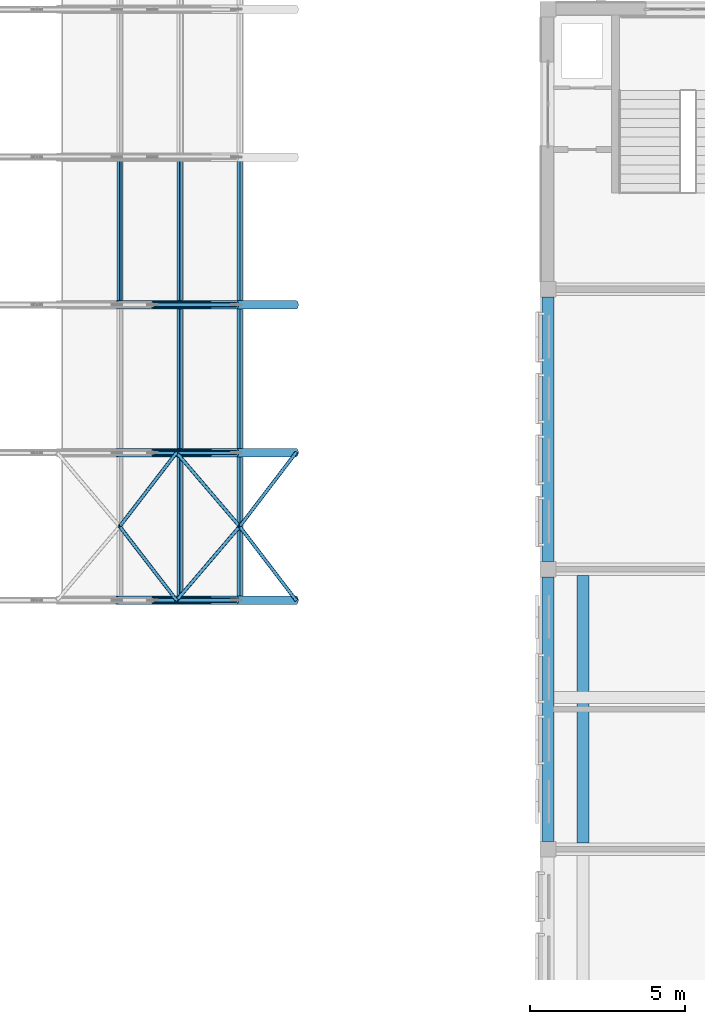
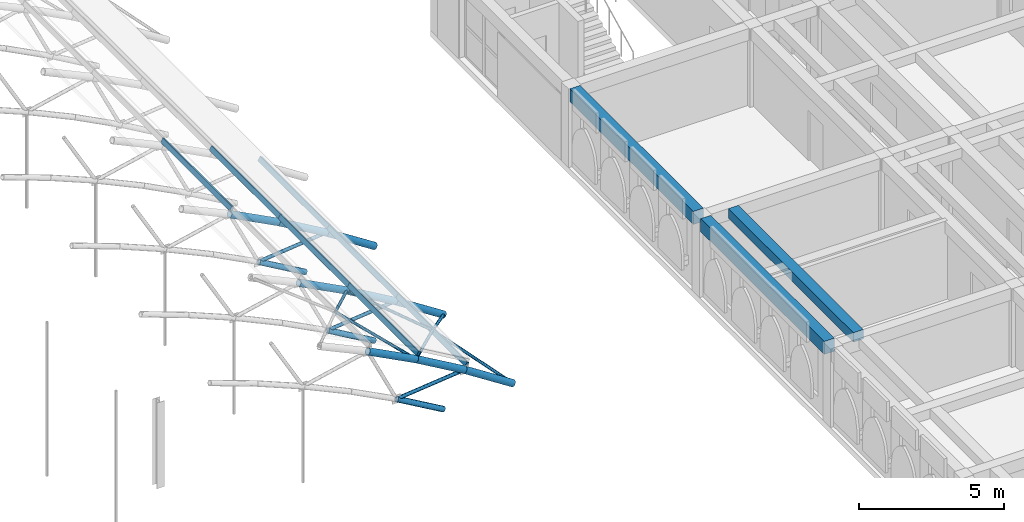
# One storey, part 16 of 50: 28 members, 3 beams.
"""IFC4 building model written with IfcOpenShell, lengths in metres."""

from ifc_helpers import new_model, si_unit, direction, frame, origin, origin_2d, place, context, subcontext, project, spatial, rectangle, hollow_rectangle, hollow_circle, extrude, material, material_profile, profile_set, type_object, element, save


model = new_model("IFC4")

# Units and contexts
model_context = context("Model", 3, precision=1e-05, world=origin(), true_north=direction((0.0, 1.0)))
body_context = subcontext(model_context, "Body", "Model", "MODEL_VIEW")
ifc_project = project(units=[si_unit("LENGTHUNIT", "METRE"), si_unit("AREAUNIT", "SQUARE_METRE"), si_unit("VOLUMEUNIT", "CUBIC_METRE"), si_unit("PLANEANGLEUNIT", "RADIAN"), si_unit("MASSUNIT", "GRAM", prefix="KILO")], contexts=[model_context])

# Site, building, storey
site_placement = place(None, origin())
site = spatial("IfcSite", under=ifc_project, at=site_placement, CompositionType="ELEMENT")
building_placement = place(site_placement, origin())
building = spatial("IfcBuilding", under=site, at=building_placement, Name="Elbe Cascade School", CompositionType="ELEMENT")
storey_placement = place(building_placement, frame((0.0, 0.0, 15.300048828125)))
storey = spatial("IfcBuildingStorey", under=building, at=storey_placement, Name="L04", CompositionType="ELEMENT", Elevation=15.300048828125)

# Members
ifc_material_1 = material(Name="Steel S355J2H", Category="steel")
ifc_material_profile_1 = material_profile(ifc_material_1, hollow_circle(Radius=0.109619140625, WallThickness=0.012451171875, at=origin_2d()), Name="CHS 219.1x12.5")
ifc_profile_set_1 = profile_set([ifc_material_profile_1], Name="Steel S355J2H")
member_type_1 = type_object("IfcMemberType", Name="Hall rib bottom chord CHS 219.1x12.5", PredefinedType="CHORD", material=ifc_profile_set_1)
for number, where, z_axis, x_axis, name in (
    (1, (56.28564453125, 41.0, 0.568603515625), (0.864836718866, 0.0, -0.502053233931), (0.0, 1.0, 0.0), "Hall rib bottom chord CHS 219.1x12.5 M3"),
    (2, (56.28564453125, 45.75, 0.568603515625), (0.864836718866, 0.0, -0.502053233931), (0.0, 1.0, 0.0), "Hall rib bottom chord CHS 219.1x12.5 M3"),
    (3, (56.28564453125, 50.5, 0.568603515625), (0.864836718866, 0.0, -0.502053233931), (0.0, 1.0, 0.0), "Hall rib bottom chord CHS 219.1x12.5 M3"),
):
    element("IfcMember", number, at=place(storey_placement, frame(where, z_axis=z_axis, x_axis=x_axis)), inside=storey, type_object=member_type_1, Name=name, PredefinedType="CHORD", context=body_context, shape_type="SweptSolid", body=[
        extrude(hollow_circle(Radius=0.109619140625, WallThickness=0.012451171875, at=origin_2d()), origin(), (0.0, 0.0, 1.0), 2.1474609375),
    ])
ifc_material_2 = material(Name="Steel S355J2H", Category="steel")
ifc_material_profile_2 = material_profile(ifc_material_2, hollow_circle(Radius=0.136474609375, WallThickness=0.012451171875, at=origin_2d()), Name="CHS 273x12.5")
ifc_profile_set_2 = profile_set([ifc_material_profile_2], Name="Steel S355J2H")
member_type_2 = type_object("IfcMemberType", Name="Hall rib top chord CHS 273x12.5", PredefinedType="CHORD", material=ifc_profile_set_2)
member_1_placement = place(storey_placement, frame((55.13525390625, 41.0, 2.97119140625), z_axis=(0.886958329454, 0.0, -0.461849457954), x_axis=(0.0, 1.0, 0.0)))
element("IfcMember", 4, at=member_1_placement, inside=storey, type_object=member_type_2, Name="Hall rib top chord CHS 273x12.5 M2", PredefinedType="CHORD", context=body_context, shape_type="SweptSolid", body=[
    extrude(hollow_circle(Radius=0.136474609375, WallThickness=0.012451171875, at=origin_2d()), origin(), (0.0, 0.0, 1.0), 2.166259765625),
])
member_2_placement = place(storey_placement, frame((57.056640625, 41.0, 1.970703125), z_axis=(0.86482126995, 0.0, -0.502079845286), x_axis=(0.0, 1.0, 0.0)))
element("IfcMember", 5, at=member_2_placement, inside=storey, type_object=member_type_2, Name="Hall rib top chord CHS 273x12.5 M2", PredefinedType="CHORD", context=body_context, shape_type="SweptSolid", body=[
    extrude(hollow_circle(Radius=0.136474609375, WallThickness=0.012451171875, at=origin_2d()), origin(), (0.0, 0.0, 1.0), 2.2216796875),
])
member_3_placement = place(storey_placement, frame((58.97802734375, 41.0, 0.855224609375), z_axis=(0.840219764602, 0.0, -0.542246020891), x_axis=(0.0, 1.0, 0.0)))
element("IfcMember", 6, at=member_3_placement, inside=storey, type_object=member_type_2, Name="Hall rib top chord CHS 273x12.5 M2", PredefinedType="CHORD", context=body_context, shape_type="SweptSolid", body=[
    extrude(hollow_circle(Radius=0.136474609375, WallThickness=0.012451171875, at=origin_2d()), origin(), (0.0, 0.0, 1.0), 2.286865234375),
])
member_4_placement = place(storey_placement, frame((55.13525390625, 45.75, 2.97119140625), z_axis=(0.886958329454, 0.0, -0.461849457954), x_axis=(0.0, 1.0, 0.0)))
element("IfcMember", 7, at=member_4_placement, inside=storey, type_object=member_type_2, Name="Hall rib top chord CHS 273x12.5 M2", PredefinedType="CHORD", context=body_context, shape_type="SweptSolid", body=[
    extrude(hollow_circle(Radius=0.136474609375, WallThickness=0.012451171875, at=origin_2d()), origin(), (0.0, 0.0, 1.0), 2.166259765625),
])
member_5_placement = place(storey_placement, frame((57.056640625, 45.75, 1.970703125), z_axis=(0.86482126995, 0.0, -0.502079845286), x_axis=(0.0, 1.0, 0.0)))
element("IfcMember", 8, at=member_5_placement, inside=storey, type_object=member_type_2, Name="Hall rib top chord CHS 273x12.5 M2", PredefinedType="CHORD", context=body_context, shape_type="SweptSolid", body=[
    extrude(hollow_circle(Radius=0.136474609375, WallThickness=0.012451171875, at=origin_2d()), origin(), (0.0, 0.0, 1.0), 2.2216796875),
])
member_6_placement = place(storey_placement, frame((58.97802734375, 45.75, 0.855224609375), z_axis=(0.840219764602, 0.0, -0.542246020891), x_axis=(0.0, 1.0, 0.0)))
element("IfcMember", 9, at=member_6_placement, inside=storey, type_object=member_type_2, Name="Hall rib top chord CHS 273x12.5 M2", PredefinedType="CHORD", context=body_context, shape_type="SweptSolid", body=[
    extrude(hollow_circle(Radius=0.136474609375, WallThickness=0.012451171875, at=origin_2d()), origin(), (0.0, 0.0, 1.0), 2.286865234375),
])
member_7_placement = place(storey_placement, frame((55.13525390625, 50.5, 2.97119140625), z_axis=(0.886958329454, 0.0, -0.461849457954), x_axis=(0.0, 1.0, 0.0)))
element("IfcMember", 10, at=member_7_placement, inside=storey, type_object=member_type_2, Name="Hall rib top chord CHS 273x12.5 M2", PredefinedType="CHORD", context=body_context, shape_type="SweptSolid", body=[
    extrude(hollow_circle(Radius=0.136474609375, WallThickness=0.012451171875, at=origin_2d()), origin(), (0.0, 0.0, 1.0), 2.166259765625),
])
member_8_placement = place(storey_placement, frame((57.056640625, 50.5, 1.970703125), z_axis=(0.86482126995, 0.0, -0.502079845286), x_axis=(0.0, 1.0, 0.0)))
element("IfcMember", 11, at=member_8_placement, inside=storey, type_object=member_type_2, Name="Hall rib top chord CHS 273x12.5 M2", PredefinedType="CHORD", context=body_context, shape_type="SweptSolid", body=[
    extrude(hollow_circle(Radius=0.136474609375, WallThickness=0.012451171875, at=origin_2d()), origin(), (0.0, 0.0, 1.0), 2.2216796875),
])
member_9_placement = place(storey_placement, frame((58.97802734375, 50.5, 0.855224609375), z_axis=(0.840219764602, 0.0, -0.542246020891), x_axis=(0.0, 1.0, 0.0)))
element("IfcMember", 12, at=member_9_placement, inside=storey, type_object=member_type_2, Name="Hall rib top chord CHS 273x12.5 M2", PredefinedType="CHORD", context=body_context, shape_type="SweptSolid", body=[
    extrude(hollow_circle(Radius=0.136474609375, WallThickness=0.012451171875, at=origin_2d()), origin(), (0.0, 0.0, 1.0), 2.286865234375),
])
ifc_material_3 = material(Name="Steel S355J2H", Category="steel")
ifc_material_profile_3 = material_profile(ifc_material_3, hollow_circle(Radius=0.06982421875, WallThickness=0.008056640625, at=origin_2d()), Name="CHS 139.7x8")
ifc_profile_set_3 = profile_set([ifc_material_profile_3], Name="Steel S355J2H")
member_type_3 = type_object("IfcMemberType", Name="Hall rib web CHS 139.7x8", PredefinedType="BRACE", material=ifc_profile_set_3)
for number, where, z_axis, x_axis, name in (
    (13, (56.28564453125, 41.0, 0.568603515625), (0.994381241781, 0.0, 0.1058581409), (0.0, 1.0, 0.0), "Hall rib web CHS 139.7x8 M4"),
    (14, (56.28564453125, 45.75, 0.568603515625), (0.994381241781, 0.0, 0.1058581409), (0.0, 1.0, 0.0), "Hall rib web CHS 139.7x8 M4"),
    (15, (56.28564453125, 50.5, 0.568603515625), (0.994381241781, 0.0, 0.1058581409), (0.0, 1.0, 0.0), "Hall rib web CHS 139.7x8 M4"),
):
    element("IfcMember", number, at=place(storey_placement, frame(where, z_axis=z_axis, x_axis=x_axis)), inside=storey, type_object=member_type_3, Name=name, PredefinedType="BRACE", context=body_context, shape_type="SweptSolid", body=[
        extrude(hollow_circle(Radius=0.06982421875, WallThickness=0.008056640625, at=origin_2d()), origin(), (0.0, 0.0, 1.0), 2.70751953125),
    ])
ifc_material_4 = material(Name="Steel S355J2H", Category="steel")
ifc_material_profile_4 = material_profile(ifc_material_4, hollow_circle(Radius=0.05712890625, WallThickness=0.00634765625, at=origin_2d()), Name="CHS 114.3x6.3")
ifc_profile_set_4 = profile_set([ifc_material_profile_4], Name="Steel S355J2H")
member_type_4 = type_object("IfcMemberType", Name="Hall roof bracing CHS 114.3x6.3", PredefinedType="BRACE", material=ifc_profile_set_4)
for number, where, z_axis, x_axis, name in (
    (16, (55.2265625, 43.375, 3.156494140625), (0.567594721189, 0.736601046922, -0.367770485701), (-0.792115177323, 0.610371645684, 0.0), "Hall roof bracing CHS 114.3x6.3 M9"),
    (17, (55.2265625, 43.375, 3.156494140625), (0.567594721189, -0.736601046922, -0.367770485701), (0.792115177323, 0.610371645684, 0.0), "Hall roof bracing CHS 114.3x6.3 M9"),
):
    element("IfcMember", number, at=place(storey_placement, frame(where, z_axis=z_axis, x_axis=x_axis)), inside=storey, type_object=member_type_4, Name=name, PredefinedType="BRACE", context=body_context, shape_type="SweptSolid", body=[
        extrude(hollow_circle(Radius=0.05712890625, WallThickness=0.00634765625, at=origin_2d()), origin(), (0.0, 0.0, 1.0), 3.224365234375),
    ])
member_10_placement = place(storey_placement, frame((59.0859375, 43.375, 1.03125), z_axis=(-0.622084537409, -0.728060440317, 0.287991012987), x_axis=(0.760270746172, -0.649606336573, 0.0)))
element("IfcMember", 18, at=member_10_placement, inside=storey, type_object=member_type_4, Name="Hall roof bracing CHS 114.3x6.3 M9", PredefinedType="BRACE", context=body_context, shape_type="SweptSolid", body=[
    extrude(hollow_circle(Radius=0.05712890625, WallThickness=0.00634765625, at=origin_2d()), origin(), (0.0, 0.0, 1.0), 3.26220703125),
])
member_11_placement = place(storey_placement, frame((59.0859375, 43.375, 1.03125), z_axis=(0.548420931202, 0.718233551257, -0.428223128833), x_axis=(-0.794793608341, 0.606879823474, 0.0)))
element("IfcMember", 19, at=member_11_placement, inside=storey, type_object=member_type_4, Name="Hall roof bracing CHS 114.3x6.3 M9", PredefinedType="BRACE", context=body_context, shape_type="SweptSolid", body=[
    extrude(hollow_circle(Radius=0.05712890625, WallThickness=0.00634765625, at=origin_2d()), origin(), (0.0, 0.0, 1.0), 3.306640625),
])
member_12_placement = place(storey_placement, frame((59.0859375, 43.375, 1.03125), z_axis=(-0.622084537409, 0.728060440317, 0.287991012987), x_axis=(-0.760270746172, -0.649606336573, 0.0)))
element("IfcMember", 20, at=member_12_placement, inside=storey, type_object=member_type_4, Name="Hall roof bracing CHS 114.3x6.3 M9", PredefinedType="BRACE", context=body_context, shape_type="SweptSolid", body=[
    extrude(hollow_circle(Radius=0.05712890625, WallThickness=0.00634765625, at=origin_2d()), origin(), (0.0, 0.0, 1.0), 3.26220703125),
])
member_13_placement = place(storey_placement, frame((59.0859375, 43.375, 1.03125), z_axis=(0.548420931202, -0.718233551257, -0.428223128833), x_axis=(0.794793608341, 0.606879823474, 0.0)))
element("IfcMember", 21, at=member_13_placement, inside=storey, type_object=member_type_4, Name="Hall roof bracing CHS 114.3x6.3 M9", PredefinedType="BRACE", context=body_context, shape_type="SweptSolid", body=[
    extrude(hollow_circle(Radius=0.05712890625, WallThickness=0.00634765625, at=origin_2d()), origin(), (0.0, 0.0, 1.0), 3.306640625),
])
ifc_material_5 = material(Name="Steel S355J2H", Category="steel")
ifc_material_profile_5 = material_profile(ifc_material_5, hollow_rectangle(XDim=0.10009765625, YDim=0.199951171875, WallThickness=0.008056640625, InnerFilletRadius=0.008056640625, OuterFilletRadius=0.011962890625, at=origin_2d()), Name="RHS 200x100x8")
ifc_profile_set_5 = profile_set([ifc_material_profile_5], Name="Steel S355J2H")
member_type_5 = type_object("IfcMemberType", Name="Hall roof purlin RHS 200x100x8", PredefinedType="PURLIN", material=ifc_profile_set_5)
for number, where, z_axis, x_axis, name in (
    (22, (55.2265625, 50.5, 3.156494140625), (0.0, 1.0, 0.0), (-0.897163381573, 0.0, 0.441698841706), "Hall roof purlin RHS 200x100x8 M8"),
    (23, (57.15625, 41.0, 2.151611328125), (0.0, 1.0, 0.0), (-0.876251912848, 0.0, 0.481853281851), "Hall roof purlin RHS 200x100x8 M8"),
    (24, (57.15625, 45.75, 2.151611328125), (0.0, 1.0, 0.0), (-0.876251912848, 0.0, 0.481853281851), "Hall roof purlin RHS 200x100x8 M8"),
    (25, (57.15625, 50.5, 2.151611328125), (0.0, 1.0, 0.0), (-0.876251912848, 0.0, 0.481853281851), "Hall roof purlin RHS 200x100x8 M8"),
    (26, (59.0859375, 41.0, 1.03125), (0.0, 1.0, 0.0), (-0.852940758882, 0.0, 0.52200772201), "Hall roof purlin RHS 200x100x8 M8"),
    (27, (59.0859375, 45.75, 1.03125), (0.0, 1.0, 0.0), (-0.852940758882, 0.0, 0.52200772201), "Hall roof purlin RHS 200x100x8 M8"),
    (28, (59.0859375, 50.5, 1.03125), (0.0, 1.0, 0.0), (-0.852940758882, 0.0, 0.52200772201), "Hall roof purlin RHS 200x100x8 M8"),
):
    element("IfcMember", number, at=place(storey_placement, frame(where, z_axis=z_axis, x_axis=x_axis)), inside=storey, type_object=member_type_5, Name=name, PredefinedType="PURLIN", context=body_context, shape_type="SweptSolid", body=[
        extrude(hollow_rectangle(XDim=0.10009765625, YDim=0.199951171875, WallThickness=0.008056640625, InnerFilletRadius=0.008056640625, OuterFilletRadius=0.011962890625, at=origin_2d()), origin(), (0.0, 0.0, 1.0), 4.75),
    ])

# Beams
ifc_material_6 = material(Name="Concrete C30/37", Category="concrete")
ifc_material_profile_6 = material_profile(ifc_material_6, rectangle(XDim=0.39990234375, YDim=0.39990234375, at=origin_2d()), Name="RC 400x400")
ifc_profile_set_6 = profile_set([ifc_material_profile_6], Name="Concrete C30/37")
beam_type_1 = type_object("IfcBeamType", Name="RC 400x400 beam", PredefinedType="BEAM", material=ifc_profile_set_6)
beam_placement = place(storey_placement, frame((70.125, 33.199951171875, 3.099853515625), z_axis=(0.0, 1.0, 0.0), x_axis=(-1.0, 0.0, 0.0)))
element("IfcBeam", 29, at=beam_placement, inside=storey, type_object=beam_type_1, Name="RC 400x400 beam B5", PredefinedType="BEAM", context=body_context, shape_type="SweptSolid", body=[
    extrude(rectangle(XDim=0.39990234375, YDim=0.39990234375, at=origin_2d()), origin(), (0.0, 0.0, 1.0), 8.60009765625),
])
ifc_material_7 = material(Name="Concrete C30/37", Category="concrete")
ifc_material_profile_7 = material_profile(ifc_material_7, rectangle(XDim=0.39990234375, YDim=0.550048828125, at=origin_2d()), Name="RC 400x550")
ifc_profile_set_7 = profile_set([ifc_material_profile_7], Name="Concrete C30/37")
beam_type_2 = type_object("IfcBeamType", Name="RC 400x550 beam", PredefinedType="BEAM", material=ifc_profile_set_7)
for number, where, z_axis, x_axis, name in (
    (30, (69.0, 33.25, 3.02490234375), (0.0, 1.0, 0.0), (-1.0, 0.0, 0.0), "RC 400x550 beam B4"),
    (31, (69.0, 42.25, 3.02490234375), (0.0, 1.0, 0.0), (-1.0, 0.0, 0.0), "RC 400x550 beam B4"),
):
    element("IfcBeam", number, at=place(storey_placement, frame(where, z_axis=z_axis, x_axis=x_axis)), inside=storey, type_object=beam_type_2, Name=name, PredefinedType="BEAM", context=body_context, shape_type="SweptSolid", body=[
        extrude(rectangle(XDim=0.39990234375, YDim=0.550048828125, at=origin_2d()), origin(), (0.0, 0.0, 1.0), 8.5),
    ])

save(model, "model.ifc")
